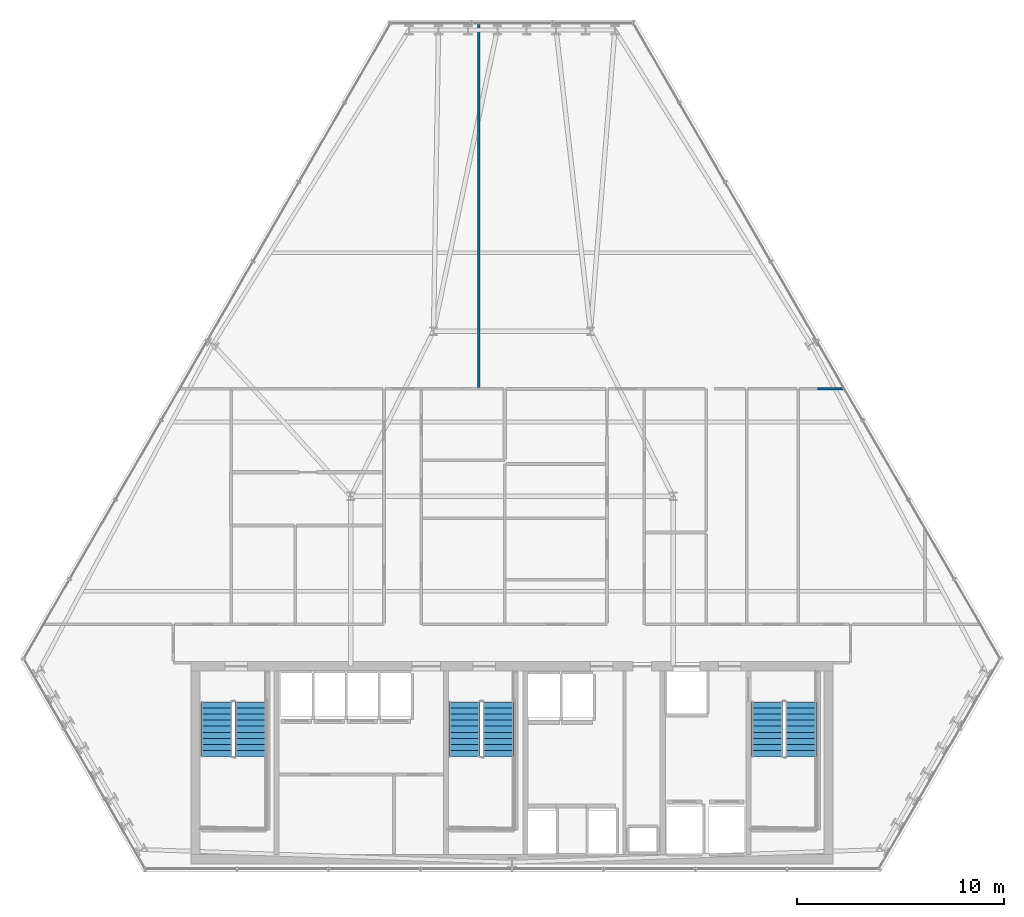
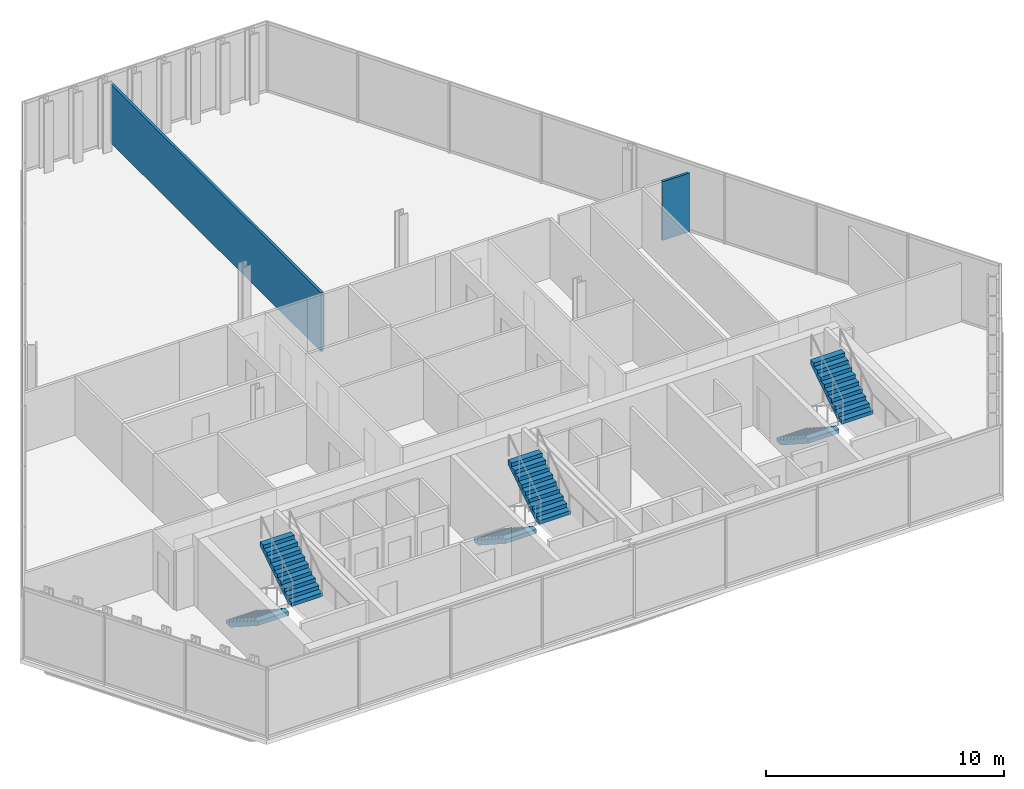
# One storey, part 28 of 31: 6 stair flights, 2 walls, 3 elements without a shape of their own.
"""IFC4 building model written with IfcOpenShell, lengths in metres."""

import ifcopenshell
import ifcopenshell.guid

model = None  # the IFC model being written
_history = None  # IfcOwnerHistory: only IFC2X3 demands one
_inside = {}  # id of a spatial element -> (the spatial element, [elements in it])
_under = {}  # id of a project, library or spatial element -> (it, [spatial elements below it])
_declared = {}  # id of a project -> (the project, [libraries it declares])
_typed = {}  # id of a type object -> (the type object, [elements of that type])
_made_of = {}  # id of a material, layer set ... -> (it, [elements and type objects made of it])


def new_model(schema):
    """Start an empty IFC model of exactly this schema.

    Asked for "IFC4X3", IfcOpenShell would pick the latest addendum, in which some entities
    have other attributes; the version numbers below select the first issue.
    IFC2X3 requires an IfcOwnerHistory on every rooted entity: one is made here for all.
    """
    global model, _history
    if schema == "IFC4X3":
        model = ifcopenshell.file(schema_version=(4, 3, 0, 0))
    else:
        model = ifcopenshell.file(schema=schema)
    _inside.clear()
    _under.clear()
    _declared.clear()
    _typed.clear()
    _made_of.clear()
    _history = None
    if model.schema == "IFC2X3":
        org = make("IfcOrganization", Name="unknown")
        user = make(
            "IfcPersonAndOrganization",
            ThePerson=make("IfcPerson", FamilyName="unknown"),
            TheOrganization=org,
        )
        app = make(
            "IfcApplication",
            ApplicationDeveloper=org,
            Version="unknown",
            ApplicationFullName="unknown",
            ApplicationIdentifier="unknown",
        )
        _history = make(
            "IfcOwnerHistory",
            OwningUser=user,
            OwningApplication=app,
            ChangeAction="ADDED",
            CreationDate=0,
        )
    return model


def make(cls, **values):
    """One entity of the class cls with the attributes given. An attribute that is None is left unset."""
    return model.create_entity(
        cls, **{name: value for name, value in values.items() if value is not None}
    )


def rooted(cls, **values):
    """An entity with a GlobalId (a new one), such as an element, a storey or a relation."""
    return make(cls, GlobalId=ifcopenshell.guid.new(), OwnerHistory=_history, **values)


def si_unit(unit_type, name, prefix=None):
    """IfcSIUnit, for example si_unit("LENGTHUNIT", "METRE", prefix="MILLI")."""
    return make("IfcSIUnit", UnitType=unit_type, Prefix=prefix, Name=name)


def assignment(units):
    """IfcUnitAssignment: the units of a project."""
    return None if units is None else make("IfcUnitAssignment", Units=units)


def point(xyz):
    """IfcCartesianPoint."""
    return None if xyz is None else make("IfcCartesianPoint", Coordinates=xyz)


def direction(xyz):
    """IfcDirection."""
    return None if xyz is None else make("IfcDirection", DirectionRatios=xyz)


def frame(location, z_axis=None, x_axis=None):
    """IfcAxis2Placement3D, a coordinate frame: its origin and axes. An axis left out is left unset."""
    return make(
        "IfcAxis2Placement3D",
        Location=point(location),
        Axis=direction(z_axis),
        RefDirection=direction(x_axis),
    )


def frame_2d(location, x_axis=None):
    """IfcAxis2Placement2D, a coordinate frame in the plane: its origin and x axis."""
    return make(
        "IfcAxis2Placement2D", Location=point(location), RefDirection=direction(x_axis)
    )


def origin():
    """The frame at (0, 0, 0) with its axes left unset."""
    return frame((0.0, 0.0, 0.0))


def place(relative_to, where):
    """IfcLocalPlacement: puts the frame where relative to a parent placement (None: the world)."""
    return make(
        "IfcLocalPlacement", PlacementRelTo=relative_to, RelativePlacement=where
    )


def context(
    kind, dimensions, precision=None, world=None, true_north=None, identifier=None
):
    """IfcGeometricRepresentationContext, for example the 3D "Model" context."""
    return make(
        "IfcGeometricRepresentationContext",
        ContextIdentifier=identifier,
        ContextType=kind,
        CoordinateSpaceDimension=dimensions,
        Precision=precision,
        WorldCoordinateSystem=world,
        TrueNorth=true_north,
    )


def subcontext(parent, identifier, kind, view, scale=None):
    """IfcGeometricRepresentationSubContext, for example "Body" below "Model"."""
    return make(
        "IfcGeometricRepresentationSubContext",
        ContextIdentifier=identifier,
        ContextType=kind,
        ParentContext=parent,
        TargetScale=scale,
        TargetView=view,
    )


def project(units=None, contexts=None):
    """IfcProject with its units and contexts."""
    return rooted(
        "IfcProject",
        Name="project",
        RepresentationContexts=contexts,
        UnitsInContext=assignment(units),
    )


def spatial(cls, under=None, at=None, **own):
    """A site, building, storey or space (cls), placed at a placement, below another one or the project."""
    s = rooted(cls, ObjectPlacement=at, **own)
    if under is not None:
        _under.setdefault(under.id(), (under, []))[1].append(s)
    return s


def polyline(points):
    """IfcPolyline through the points."""
    return make("IfcPolyline", Points=[point(p) for p in points])


def profile(cls, at=None, kind="AREA", **sizes):
    """A parametric profile (cls). Its sizes go by their IFC names, for example OverallWidth=200.0."""
    return make(cls, ProfileType=kind, Position=at, **sizes)


def rectangle(**sizes):
    """IfcRectangleProfileDef."""
    return profile("IfcRectangleProfileDef", **sizes)


def outline(outer, holes=None, kind="AREA"):
    """IfcArbitraryClosedProfileDef: a profile drawn as a closed curve; with holes, ...WithVoids."""
    if holes is None:
        return make("IfcArbitraryClosedProfileDef", ProfileType=kind, OuterCurve=outer)
    return make(
        "IfcArbitraryProfileDefWithVoids",
        ProfileType=kind,
        OuterCurve=outer,
        InnerCurves=holes,
    )


def extrude(swept, where, along, depth):
    """IfcExtrudedAreaSolid: the profile swept, set in the frame where, extruded along a direction by depth."""
    return make(
        "IfcExtrudedAreaSolid",
        SweptArea=swept,
        Position=where,
        ExtrudedDirection=direction(along),
        Depth=depth,
    )


def shape(context_of_items, identifier, shape_type, items):
    """IfcShapeRepresentation: the items that make up one representation, for example the "Body"."""
    return make(
        "IfcShapeRepresentation",
        ContextOfItems=context_of_items,
        RepresentationIdentifier=identifier,
        RepresentationType=shape_type,
        Items=items,
    )


def material(Name=None, Category=None):
    """IfcMaterial."""
    return make("IfcMaterial", Name=Name, Category=Category)


def layer(
    of_material, thickness, ventilated=None, Name=None, Category=None, Priority=None
):
    """IfcMaterialLayer: one layer of a wall or slab, of a material (None: an air gap)."""
    return make(
        "IfcMaterialLayer",
        Material=of_material,
        LayerThickness=thickness,
        IsVentilated=ventilated,
        Name=Name,
        Category=Category,
        Priority=Priority,
    )


def layer_set(layers, Name=None):
    """IfcMaterialLayerSet."""
    return make("IfcMaterialLayerSet", MaterialLayers=layers, LayerSetName=Name)


def made_of(thing, what):
    """Note that an element or type object is made of a material, layer set ...; save() writes the relation."""
    if what is not None:
        _made_of.setdefault(what.id(), (what, []))[1].append(thing)
    return thing


def type_object(cls, material=None, **own):
    """A type object (cls), such as IfcWallType, which elements share."""
    return made_of(rooted(cls, **own), material)


def element(
    cls,
    number,
    at=None,
    inside=None,
    cuts=None,
    type_object=None,
    material=None,
    context=None,
    identifier="Body",
    shape_type=None,
    held_by="IfcProductDefinitionShape",
    body=None,
    shapes=None,
    **own,
):
    """One element of the class cls, such as IfcWall. Its Tag is "e" and its number.

    at: its placement. inside: the storey or other place that contains it. cuts: it is an
    opening in that element (IfcRelVoidsElement). A single representation is given by context,
    identifier, shape_type and body (its items); several are given by shapes. held_by: the class
    of the entity that holds the representations. save() writes the other relations.
    """
    e = rooted(cls, Tag="e%d" % number, ObjectPlacement=at, **own)
    if body is not None:
        shapes = [shape(context, identifier, shape_type, body)]
    if shapes is not None:
        e.Representation = make(held_by, Representations=shapes)
    if inside is not None:
        _inside.setdefault(inside.id(), (inside, []))[1].append(e)
    if cuts is not None:
        rooted(
            "IfcRelVoidsElement", RelatingBuildingElement=cuts, RelatedOpeningElement=e
        )
    if type_object is not None:
        _typed.setdefault(type_object.id(), (type_object, []))[1].append(e)
    return made_of(e, material)


def aggregate(whole, parts):
    """IfcRelAggregates: a whole, such as a stair, and the parts it consists of."""
    return rooted("IfcRelAggregates", RelatingObject=whole, RelatedObjects=parts)


def save(model, path):
    """Write the relations noted so far, then the file.

    IfcRelAggregates (storeys below a building ...), IfcRelContainedInSpatialStructure (elements
    in a storey), IfcRelDefinesByType, IfcRelAssociatesMaterial and IfcRelDeclares: one each for
    every whole, place, type object, material and project.
    """
    for whole, parts in _under.values():
        aggregate(whole, parts)
    for where, things in _inside.values():
        rooted(
            "IfcRelContainedInSpatialStructure",
            RelatedElements=things,
            RelatingStructure=where,
        )
    for kind, things in _typed.values():
        rooted("IfcRelDefinesByType", RelatedObjects=things, RelatingType=kind)
    for what, things in _made_of.values():
        rooted("IfcRelAssociatesMaterial", RelatedObjects=things, RelatingMaterial=what)
    for by, libraries in _declared.values():
        rooted("IfcRelDeclares", RelatingContext=by, RelatedDefinitions=libraries)
    model.write(path)


model = new_model("IFC4")

# Units and contexts
model_context = context("Model", 3, precision=1e-05, world=origin(), true_north=direction((0.0, 1.0)))
body_context = subcontext(model_context, "Body", "Model", "MODEL_VIEW")
ifc_project = project(units=[si_unit("LENGTHUNIT", "METRE"), si_unit("AREAUNIT", "SQUARE_METRE"), si_unit("VOLUMEUNIT", "CUBIC_METRE"), si_unit("PLANEANGLEUNIT", "RADIAN"), si_unit("MASSUNIT", "GRAM", prefix="KILO")], contexts=[model_context])

# Site, building, storey
site_placement = place(None, origin())
site = spatial("IfcSite", under=ifc_project, at=site_placement, CompositionType="ELEMENT")
building_placement = place(site_placement, origin())
building = spatial("IfcBuilding", under=site, at=building_placement, Name="Ndaravel Arena Tower", CompositionType="ELEMENT")
storey_placement = place(building_placement, frame((0.0, 0.0, 142.199951171875)))
storey = spatial("IfcBuildingStorey", under=building, at=storey_placement, Name="L33", CompositionType="ELEMENT", Elevation=142.199951171875)

# Walls
ifc_material_1 = material(Name="Gypsum", Category="gypsum")
ifc_layer = layer(ifc_material_1, 0.125)
ifc_layer_set = layer_set([ifc_layer], Name="Gypsum")
wall_type = type_object("IfcWallType", Name="WALL-PART-125", PredefinedType="PARTITIONING", material=ifc_layer_set)
wall_1_placement = place(storey_placement, frame((56.800048828125, 28.39990234375, 0.0), z_axis=(0.0, 0.0, 1.0), x_axis=(1.0, 0.0, 0.0)))
element("IfcWall", 1, at=wall_1_placement, inside=storey, type_object=wall_type, Name="L33 Interior Partition 046", PredefinedType="PARTITIONING", context=body_context, shape_type="SweptSolid", body=[
    extrude(rectangle(XDim=1.30126953125, YDim=0.125, at=frame_2d((0.650634765625, 0.0))), origin(), (0.0, 0.0, 1.0), 3.010498046875),
])
wall_2_placement = place(storey_placement, frame((40.389892578125, 46.10498046875, 0.0), z_axis=(0.0, 0.0, 1.0), x_axis=(0.0, -1.0, 0.0)))
element("IfcWall", 2, at=wall_2_placement, inside=storey, type_object=wall_type, Name="L33 Interior Partition 067", PredefinedType="PARTITIONING", context=body_context, shape_type="SweptSolid", body=[
    extrude(rectangle(XDim=17.639892578125, YDim=0.125, at=frame_2d((8.81982421875, 0.0))), origin(), (0.0, 0.0, 1.0), 3.010498046875),
])

# Stair, stair flights
ifc_material_2 = material(Name="Concrete C40/50", Category="concrete")
stair_type = type_object("IfcStairType", Name="STAIR-CORE-HT", PredefinedType="HALF_TURN_STAIR", material=ifc_material_2)
stair_1_placement = place(storey_placement, origin())
stair_1 = element("IfcStair", 3, at=stair_1_placement, inside=storey, type_object=stair_type, Name="L33 ST-1", PredefinedType="HALF_TURN_STAIR")
ifc_material_3 = material(Name="Concrete C40/50", Category="concrete")
stair_flight_type = type_object("IfcStairFlightType", Name="SFLIGHT-CORE-1680", PredefinedType="STRAIGHT", material=ifc_material_3)
stair_flight_1_placement = place(storey_placement, frame((27.699951171875, 13.25, 0.0), z_axis=(0.0, 0.0, 1.0), x_axis=(0.0, -1.0, 0.0)))
stair_flight_1 = element("IfcStairFlight", 4, at=stair_flight_1_placement, type_object=stair_flight_type, Name="ST-1 flight 1", NumberOfRisers=10, NumberOfTreads=9, PredefinedType="STRAIGHT", RiserHeight=0.19, TreadLength=0.295, context=body_context, shape_type="SweptSolid", body=[
    extrude(outline(polyline([(0.0, 0.0), (0.0, 0.18994140625), (0.294921875, 0.18994140625), (0.294921875, 0.3798828125), (0.590087890625, 0.3798828125), (0.590087890625, 0.570068359375), (0.885009765625, 0.570068359375), (0.885009765625, 0.760009765625), (1.179931640625, 0.760009765625), (1.179931640625, 0.949951171875), (1.47509765625, 0.949951171875), (1.47509765625, 1.139892578125), (1.77001953125, 1.139892578125), (1.77001953125, 1.330078125), (2.06494140625, 1.330078125), (2.06494140625, 1.52001953125), (2.360107421875, 1.52001953125), (2.360107421875, 1.7099609375), (2.655029296875, 1.7099609375), (2.655029296875, 1.89990234375), (2.655029296875, 1.49609375), (0.332275390625, 0.0), (0.0, 0.0)])), frame((0.0, 0.75, 0.0), z_axis=(0.0, -1.0, 0.0), x_axis=(1.0, 0.0, 0.0)), (0.0, 0.0, 1.0), 1.5),
])
stair_flight_2_placement = place(storey_placement, frame((29.340087890625, 10.594970703125, 1.900146484375), z_axis=(0.0, 0.0, 1.0), x_axis=(0.0, 1.0, 0.0)))
stair_flight_2 = element("IfcStairFlight", 5, at=stair_flight_2_placement, type_object=stair_flight_type, Name="ST-1 flight 2", NumberOfRisers=10, NumberOfTreads=9, PredefinedType="STRAIGHT", RiserHeight=0.19, TreadLength=0.295, context=body_context, shape_type="SweptSolid", body=[
    extrude(outline(polyline([(0.0, 0.0), (0.0, 0.18994140625), (0.294921875, 0.18994140625), (0.294921875, 0.3798828125), (0.590087890625, 0.3798828125), (0.590087890625, 0.570068359375), (0.885009765625, 0.570068359375), (0.885009765625, 0.760009765625), (1.179931640625, 0.760009765625), (1.179931640625, 0.949951171875), (1.47509765625, 0.949951171875), (1.47509765625, 1.139892578125), (1.77001953125, 1.139892578125), (1.77001953125, 1.330078125), (2.06494140625, 1.330078125), (2.06494140625, 1.52001953125), (2.360107421875, 1.52001953125), (2.360107421875, 1.7099609375), (2.655029296875, 1.7099609375), (2.655029296875, 1.89990234375), (2.655029296875, 1.49609375), (0.332275390625, 0.0), (0.0, 0.0)])), frame((0.0, 0.75, 0.0), z_axis=(0.0, -1.0, 0.0), x_axis=(1.0, 0.0, 0.0)), (0.0, 0.0, 1.0), 1.5),
])
aggregate(stair_1, [stair_flight_1, stair_flight_2])

stair_2_placement = place(storey_placement, origin())
stair_2 = element("IfcStair", 6, at=stair_2_placement, inside=storey, type_object=stair_type, Name="L33 ST-2", PredefinedType="HALF_TURN_STAIR")
stair_flight_3_placement = place(storey_placement, frame((39.699951171875, 13.25, 0.0), z_axis=(0.0, 0.0, 1.0), x_axis=(0.0, -1.0, 0.0)))
stair_flight_3 = element("IfcStairFlight", 7, at=stair_flight_3_placement, type_object=stair_flight_type, Name="ST-2 flight 1", NumberOfRisers=10, NumberOfTreads=9, PredefinedType="STRAIGHT", RiserHeight=0.19, TreadLength=0.295, context=body_context, shape_type="SweptSolid", body=[
    extrude(outline(polyline([(0.0, 0.0), (0.0, 0.18994140625), (0.294921875, 0.18994140625), (0.294921875, 0.3798828125), (0.590087890625, 0.3798828125), (0.590087890625, 0.570068359375), (0.885009765625, 0.570068359375), (0.885009765625, 0.760009765625), (1.179931640625, 0.760009765625), (1.179931640625, 0.949951171875), (1.47509765625, 0.949951171875), (1.47509765625, 1.139892578125), (1.77001953125, 1.139892578125), (1.77001953125, 1.330078125), (2.06494140625, 1.330078125), (2.06494140625, 1.52001953125), (2.360107421875, 1.52001953125), (2.360107421875, 1.7099609375), (2.655029296875, 1.7099609375), (2.655029296875, 1.89990234375), (2.655029296875, 1.49609375), (0.332275390625, 0.0), (0.0, 0.0)])), frame((0.0, 0.75, 0.0), z_axis=(0.0, -1.0, 0.0), x_axis=(1.0, 0.0, 0.0)), (0.0, 0.0, 1.0), 1.5),
])
stair_flight_4_placement = place(storey_placement, frame((41.340087890625, 10.594970703125, 1.900146484375), z_axis=(0.0, 0.0, 1.0), x_axis=(0.0, 1.0, 0.0)))
stair_flight_4 = element("IfcStairFlight", 8, at=stair_flight_4_placement, type_object=stair_flight_type, Name="ST-2 flight 2", NumberOfRisers=10, NumberOfTreads=9, PredefinedType="STRAIGHT", RiserHeight=0.19, TreadLength=0.295, context=body_context, shape_type="SweptSolid", body=[
    extrude(outline(polyline([(0.0, 0.0), (0.0, 0.18994140625), (0.294921875, 0.18994140625), (0.294921875, 0.3798828125), (0.590087890625, 0.3798828125), (0.590087890625, 0.570068359375), (0.885009765625, 0.570068359375), (0.885009765625, 0.760009765625), (1.179931640625, 0.760009765625), (1.179931640625, 0.949951171875), (1.47509765625, 0.949951171875), (1.47509765625, 1.139892578125), (1.77001953125, 1.139892578125), (1.77001953125, 1.330078125), (2.06494140625, 1.330078125), (2.06494140625, 1.52001953125), (2.360107421875, 1.52001953125), (2.360107421875, 1.7099609375), (2.655029296875, 1.7099609375), (2.655029296875, 1.89990234375), (2.655029296875, 1.49609375), (0.332275390625, 0.0), (0.0, 0.0)])), frame((0.0, 0.75, 0.0), z_axis=(0.0, -1.0, 0.0), x_axis=(1.0, 0.0, 0.0)), (0.0, 0.0, 1.0), 1.5),
])
aggregate(stair_2, [stair_flight_3, stair_flight_4])

stair_3_placement = place(storey_placement, origin())
stair_3 = element("IfcStair", 9, at=stair_3_placement, inside=storey, type_object=stair_type, Name="L33 ST-3", PredefinedType="HALF_TURN_STAIR")
stair_flight_5_placement = place(storey_placement, frame((54.35009765625, 13.25, 0.0), z_axis=(0.0, 0.0, 1.0), x_axis=(0.0, -1.0, 0.0)))
stair_flight_5 = element("IfcStairFlight", 10, at=stair_flight_5_placement, type_object=stair_flight_type, Name="ST-3 flight 1", NumberOfRisers=10, NumberOfTreads=9, PredefinedType="STRAIGHT", RiserHeight=0.19, TreadLength=0.295, context=body_context, shape_type="SweptSolid", body=[
    extrude(outline(polyline([(0.0, 0.0), (0.0, 0.18994140625), (0.294921875, 0.18994140625), (0.294921875, 0.3798828125), (0.590087890625, 0.3798828125), (0.590087890625, 0.570068359375), (0.885009765625, 0.570068359375), (0.885009765625, 0.760009765625), (1.179931640625, 0.760009765625), (1.179931640625, 0.949951171875), (1.47509765625, 0.949951171875), (1.47509765625, 1.139892578125), (1.77001953125, 1.139892578125), (1.77001953125, 1.330078125), (2.06494140625, 1.330078125), (2.06494140625, 1.52001953125), (2.360107421875, 1.52001953125), (2.360107421875, 1.7099609375), (2.655029296875, 1.7099609375), (2.655029296875, 1.89990234375), (2.655029296875, 1.49609375), (0.332275390625, 0.0), (0.0, 0.0)])), frame((0.0, 0.75, 0.0), z_axis=(0.0, -1.0, 0.0), x_axis=(1.0, 0.0, 0.0)), (0.0, 0.0, 1.0), 1.5),
])
stair_flight_6_placement = place(storey_placement, frame((55.989990234375, 10.594970703125, 1.900146484375), z_axis=(0.0, 0.0, 1.0), x_axis=(0.0, 1.0, 0.0)))
stair_flight_6 = element("IfcStairFlight", 11, at=stair_flight_6_placement, type_object=stair_flight_type, Name="ST-3 flight 2", NumberOfRisers=10, NumberOfTreads=9, PredefinedType="STRAIGHT", RiserHeight=0.19, TreadLength=0.295, context=body_context, shape_type="SweptSolid", body=[
    extrude(outline(polyline([(0.0, 0.0), (0.0, 0.18994140625), (0.294921875, 0.18994140625), (0.294921875, 0.3798828125), (0.590087890625, 0.3798828125), (0.590087890625, 0.570068359375), (0.885009765625, 0.570068359375), (0.885009765625, 0.760009765625), (1.179931640625, 0.760009765625), (1.179931640625, 0.949951171875), (1.47509765625, 0.949951171875), (1.47509765625, 1.139892578125), (1.77001953125, 1.139892578125), (1.77001953125, 1.330078125), (2.06494140625, 1.330078125), (2.06494140625, 1.52001953125), (2.360107421875, 1.52001953125), (2.360107421875, 1.7099609375), (2.655029296875, 1.7099609375), (2.655029296875, 1.89990234375), (2.655029296875, 1.49609375), (0.332275390625, 0.0), (0.0, 0.0)])), frame((0.0, 0.75, 0.0), z_axis=(0.0, -1.0, 0.0), x_axis=(1.0, 0.0, 0.0)), (0.0, 0.0, 1.0), 1.5),
])
aggregate(stair_3, [stair_flight_5, stair_flight_6])

save(model, "model.ifc")
